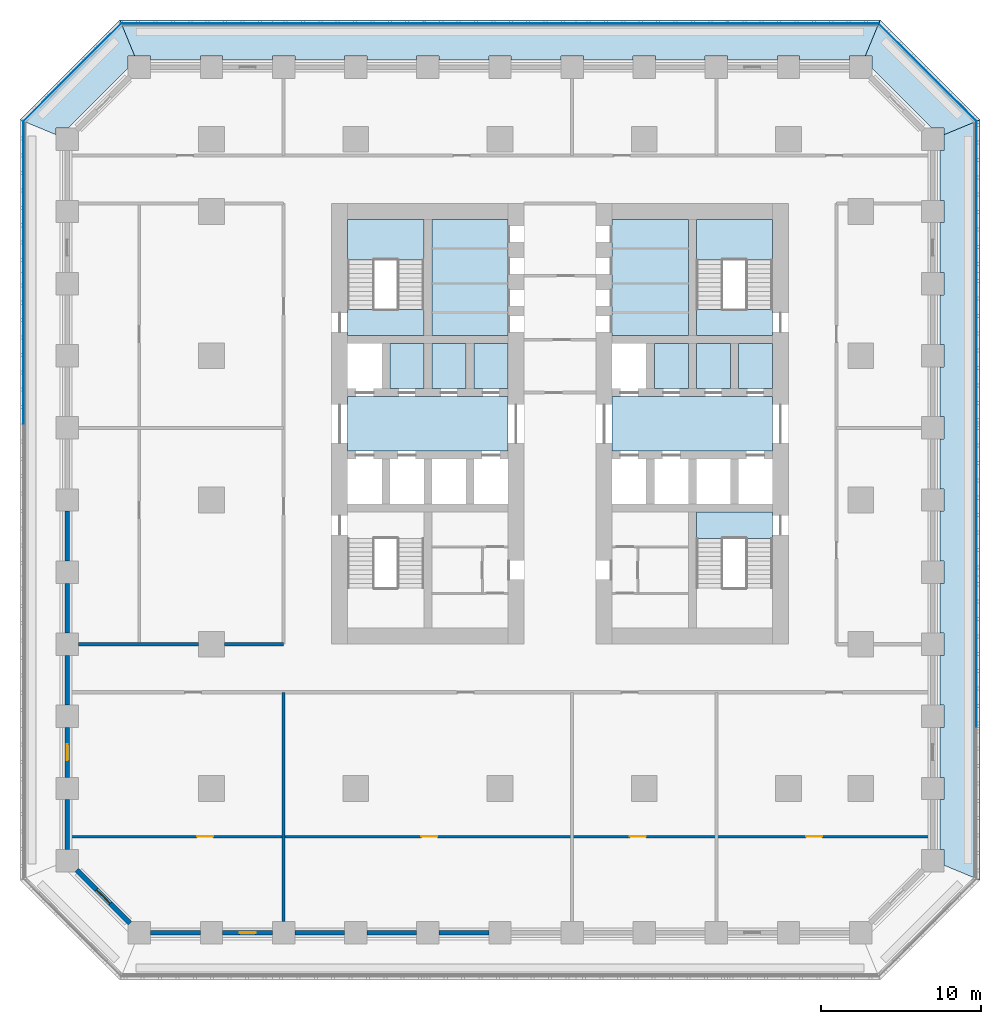
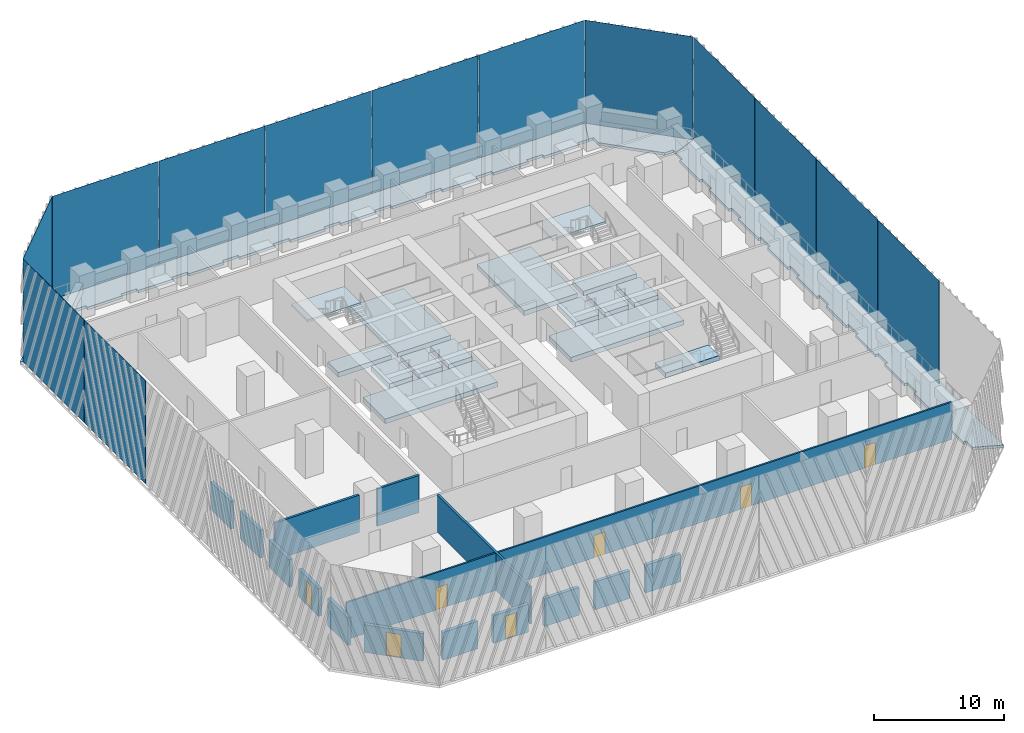
# One storey, part 2 of 12: 19 slabs, 15 walls, 13 plates, 7 doors, 7 openings, 2 elements without a shape of their own.
"""IFC4 building model written with IfcOpenShell, lengths in metres."""

from ifc_helpers import new_model, si_unit, direction, frame, frame_2d, origin, origin_2d, place, context, subcontext, project, spatial, polyline, rectangle, outline, extrude, material, layer, layer_set, type_object, element, fill, aggregate, save


model = new_model("IFC4")

# Units and contexts
model_context = context("Model", 3, precision=1e-05, world=origin(), true_north=direction((0.0, 1.0)))
body_context = subcontext(model_context, "Body", "Model", "MODEL_VIEW")
ifc_project = project(units=[si_unit("LENGTHUNIT", "METRE"), si_unit("AREAUNIT", "SQUARE_METRE"), si_unit("VOLUMEUNIT", "CUBIC_METRE"), si_unit("PLANEANGLEUNIT", "RADIAN"), si_unit("MASSUNIT", "GRAM", prefix="KILO")], contexts=[model_context])

# Site, building, storey
site_placement = place(None, origin())
site = spatial("IfcSite", under=ifc_project, at=site_placement, CompositionType="ELEMENT")
building_placement = place(site_placement, origin())
building = spatial("IfcBuilding", under=site, at=building_placement, Name="Corbel Stack Research Tower", CompositionType="ELEMENT")
storey_placement = place(building_placement, frame((0.0, 0.0, 31.800048828125)))
storey = spatial("IfcBuildingStorey", under=building, at=storey_placement, Name="L07", CompositionType="ELEMENT", Elevation=31.800048828125)

# Plates
ifc_material_1 = material(Name="Fritted glass", Category="glass")
ifc_layer_1 = layer(ifc_material_1, 0.02490234375)
ifc_layer_set_1 = layer_set([ifc_layer_1], Name="Fritted glass")
plate_type = type_object("IfcPlateType", Name="Fritted glass panel 25", PredefinedType="SHEET", material=ifc_layer_set_1)
for number, where, z_axis, x_axis, name in (
    (1, (29.737548828125, -9.45556640625, 0.0), (0.0, 0.0, 1.0), (0.0, 1.0, 0.0), "Fritted glass L07 E2"),
    (2, (29.737548828125, 0.0, 0.0), (0.0, 0.0, 1.0), (0.0, 1.0, 0.0), "Fritted glass L07 E3"),
    (3, (29.737548828125, 9.45556640625, 0.0), (0.0, 0.0, 1.0), (0.0, 1.0, 0.0), "Fritted glass L07 E4"),
    (4, (29.737548828125, 18.911376953125, 0.0), (0.0, 0.0, 1.0), (0.0, 1.0, 0.0), "Fritted glass L07 E5"),
):
    element("IfcPlate", number, at=place(storey_placement, frame(where, z_axis=z_axis, x_axis=x_axis)), inside=storey, type_object=plate_type, Name=name, PredefinedType="SHEET", context=body_context, shape_type="SweptSolid", body=[
        extrude(rectangle(XDim=9.3955078125, YDim=0.02490234375, at=origin_2d()), origin(), (0.0, 0.0, 1.0), 9.64990234375),
    ])
plate_1_placement = place(storey_placement, frame((26.685791015625, 26.685791015625, 0.0), z_axis=(0.0, 0.0, 1.0), x_axis=(-0.707106781187, 0.707106781187, 0.0)))
element("IfcPlate", 5, at=plate_1_placement, inside=storey, type_object=plate_type, Name="Fritted glass L07 NE1", PredefinedType="SHEET", context=body_context, shape_type="SweptSolid", body=[
    extrude(rectangle(XDim=8.58203125, YDim=0.02490234375, at=origin_2d()), origin(), (0.0, 0.0, 1.0), 9.64990234375),
])
for number, where, z_axis, x_axis, name in (
    (6, (18.911376953125, 29.737548828125, 0.0), (0.0, 0.0, 1.0), (-1.0, 0.0, 0.0), "Fritted glass L07 N1"),
    (7, (9.45556640625, 29.737548828125, 0.0), (0.0, 0.0, 1.0), (-1.0, 0.0, 0.0), "Fritted glass L07 N2"),
    (8, (0.0, 29.737548828125, 0.0), (0.0, 0.0, 1.0), (-1.0, 0.0, 0.0), "Fritted glass L07 N3"),
    (9, (-9.45556640625, 29.737548828125, 0.0), (0.0, 0.0, 1.0), (-1.0, 0.0, 0.0), "Fritted glass L07 N4"),
    (10, (-18.911376953125, 29.737548828125, 0.0), (0.0, 0.0, 1.0), (-1.0, 0.0, 0.0), "Fritted glass L07 N5"),
):
    element("IfcPlate", number, at=place(storey_placement, frame(where, z_axis=z_axis, x_axis=x_axis)), inside=storey, type_object=plate_type, Name=name, PredefinedType="SHEET", context=body_context, shape_type="SweptSolid", body=[
        extrude(rectangle(XDim=9.3955078125, YDim=0.02490234375, at=origin_2d()), origin(), (0.0, 0.0, 1.0), 9.64990234375),
    ])
plate_2_placement = place(storey_placement, frame((-26.685791015625, 26.685791015625, 0.0), z_axis=(0.0, 0.0, 1.0), x_axis=(-0.707106781187, -0.707106781187, 0.0)))
element("IfcPlate", 11, at=plate_2_placement, inside=storey, type_object=plate_type, Name="Fritted glass L07 NW1", PredefinedType="SHEET", context=body_context, shape_type="SweptSolid", body=[
    extrude(rectangle(XDim=8.58203125, YDim=0.02490234375, at=origin_2d()), origin(), (0.0, 0.0, 1.0), 9.64990234375),
])
for number, where, z_axis, x_axis, name in (
    (12, (-29.737548828125, 18.911376953125, 0.0), (0.0, 0.0, 1.0), (0.0, -1.0, 0.0), "Fritted glass L07 W1"),
    (13, (-29.737548828125, 9.45556640625, 0.0), (0.0, 0.0, 1.0), (0.0, -1.0, 0.0), "Fritted glass L07 W2"),
):
    element("IfcPlate", number, at=place(storey_placement, frame(where, z_axis=z_axis, x_axis=x_axis)), inside=storey, type_object=plate_type, Name=name, PredefinedType="SHEET", context=body_context, shape_type="SweptSolid", body=[
        extrude(rectangle(XDim=9.3955078125, YDim=0.02490234375, at=origin_2d()), origin(), (0.0, 0.0, 1.0), 9.64990234375),
    ])

# Slabs
ifc_material_2 = material(Name="Concrete C45/55", Category="concrete")
ifc_layer_2 = layer(ifc_material_2, 0.25)
ifc_layer_set_2 = layer_set([ifc_layer_2], Name="Concrete C45/55")
slab_type_1 = type_object("IfcSlabType", Name="PT balcony slab 250 C45/55", PredefinedType="FLOOR", material=ifc_layer_set_2)
slab_1_placement = place(storey_placement, frame((0.0, 0.0, -0.25)))
element("IfcSlab", 14, at=slab_1_placement, inside=storey, type_object=slab_type_1, Name="Loggia slab L07 E", PredefinedType="FLOOR", context=body_context, shape_type="SweptSolid", body=[
    extrude(outline(polyline([(27.699951171875, 22.789794921875), (27.699951171875, 21.800048828125), (27.449951171875, 21.800048828125), (27.449951171875, 18.699951171875), (27.699951171875, 18.699951171875), (27.699951171875, 17.300048828125), (27.449951171875, 17.300048828125), (27.449951171875, 14.199951171875), (27.699951171875, 14.199951171875), (27.699951171875, 12.800048828125), (27.449951171875, 12.800048828125), (27.449951171875, 9.699951171875), (27.699951171875, 9.699951171875), (27.699951171875, 8.300048828125), (27.449951171875, 8.300048828125), (27.449951171875, 5.199951171875), (27.699951171875, 5.199951171875), (27.699951171875, 3.800048828125), (27.449951171875, 3.800048828125), (27.449951171875, 0.699951171875), (27.699951171875, 0.699951171875), (27.699951171875, -0.699951171875), (27.449951171875, -0.699951171875), (27.449951171875, -3.800048828125), (27.699951171875, -3.800048828125), (27.699951171875, -5.199951171875), (27.449951171875, -5.199951171875), (27.449951171875, -8.300048828125), (27.699951171875, -8.300048828125), (27.699951171875, -9.699951171875), (27.449951171875, -9.699951171875), (27.449951171875, -12.800048828125), (27.699951171875, -12.800048828125), (27.699951171875, -14.199951171875), (27.449951171875, -14.199951171875), (27.449951171875, -17.300048828125), (27.699951171875, -17.300048828125), (27.699951171875, -18.699951171875), (27.449951171875, -18.699951171875), (27.449951171875, -21.800048828125), (27.699951171875, -21.800048828125), (27.699951171875, -22.789794921875), (29.949951171875, -23.721923828125), (29.949951171875, 23.721923828125), (27.699951171875, 22.789794921875)])), origin(), (0.0, 0.0, 1.0), 0.25),
])
slab_2_placement = place(storey_placement, frame((0.0, 0.0, -0.25)))
element("IfcSlab", 15, at=slab_2_placement, inside=storey, type_object=slab_type_1, Name="Loggia slab L07 NE", PredefinedType="FLOOR", context=body_context, shape_type="SweptSolid", body=[
    extrude(outline(polyline([(22.789794921875, 27.699951171875), (23.199951171875, 27.699951171875), (23.199951171875, 26.936279296875), (26.936279296875, 23.199951171875), (27.699951171875, 23.199951171875), (27.699951171875, 22.789794921875), (29.949951171875, 23.721923828125), (23.721923828125, 29.949951171875), (22.789794921875, 27.699951171875)])), origin(), (0.0, 0.0, 1.0), 0.25),
])
slab_3_placement = place(storey_placement, frame((0.0, 0.0, -0.25)))
element("IfcSlab", 16, at=slab_3_placement, inside=storey, type_object=slab_type_1, Name="Loggia slab L07 N", PredefinedType="FLOOR", context=body_context, shape_type="SweptSolid", body=[
    extrude(outline(polyline([(-22.789794921875, 27.699951171875), (-21.800048828125, 27.699951171875), (-21.800048828125, 27.449951171875), (-18.699951171875, 27.449951171875), (-18.699951171875, 27.699951171875), (-17.300048828125, 27.699951171875), (-17.300048828125, 27.449951171875), (-14.199951171875, 27.449951171875), (-14.199951171875, 27.699951171875), (-12.800048828125, 27.699951171875), (-12.800048828125, 27.449951171875), (-9.699951171875, 27.449951171875), (-9.699951171875, 27.699951171875), (-8.300048828125, 27.699951171875), (-8.300048828125, 27.449951171875), (-5.199951171875, 27.449951171875), (-5.199951171875, 27.699951171875), (-3.800048828125, 27.699951171875), (-3.800048828125, 27.449951171875), (-0.699951171875, 27.449951171875), (-0.699951171875, 27.699951171875), (0.699951171875, 27.699951171875), (0.699951171875, 27.449951171875), (3.800048828125, 27.449951171875), (3.800048828125, 27.699951171875), (5.199951171875, 27.699951171875), (5.199951171875, 27.449951171875), (8.300048828125, 27.449951171875), (8.300048828125, 27.699951171875), (9.699951171875, 27.699951171875), (9.699951171875, 27.449951171875), (12.800048828125, 27.449951171875), (12.800048828125, 27.699951171875), (14.199951171875, 27.699951171875), (14.199951171875, 27.449951171875), (17.300048828125, 27.449951171875), (17.300048828125, 27.699951171875), (18.699951171875, 27.699951171875), (18.699951171875, 27.449951171875), (21.800048828125, 27.449951171875), (21.800048828125, 27.699951171875), (22.789794921875, 27.699951171875), (23.721923828125, 29.949951171875), (-23.721923828125, 29.949951171875), (-22.789794921875, 27.699951171875)])), origin(), (0.0, 0.0, 1.0), 0.25),
])
slab_4_placement = place(storey_placement, frame((0.0, 0.0, -0.25)))
element("IfcSlab", 17, at=slab_4_placement, inside=storey, type_object=slab_type_1, Name="Loggia slab L07 NW", PredefinedType="FLOOR", context=body_context, shape_type="SweptSolid", body=[
    extrude(outline(polyline([(-27.699951171875, 22.789794921875), (-27.699951171875, 23.199951171875), (-26.936279296875, 23.199951171875), (-23.199951171875, 26.936279296875), (-23.199951171875, 27.699951171875), (-22.789794921875, 27.699951171875), (-23.721923828125, 29.949951171875), (-29.949951171875, 23.721923828125), (-27.699951171875, 22.789794921875)])), origin(), (0.0, 0.0, 1.0), 0.25),
])
ifc_material_3 = material(Name="Concrete C45/55", Category="concrete")
ifc_layer_3 = layer(ifc_material_3, 0.449951171875)
ifc_layer_set_3 = layer_set([ifc_layer_3], Name="Concrete C45/55")
slab_type_2 = type_object("IfcSlabType", Name="PT-450", PredefinedType="FLOOR", material=ifc_layer_set_3)
slab_5_placement = place(storey_placement, frame((0.0, 0.0, -0.449951171875)))
element("IfcSlab", 18, at=slab_5_placement, inside=storey, type_object=slab_type_2, Name="West core floor L07", PredefinedType="FLOOR", context=body_context, shape_type="SweptSolid", body=[
    extrude(outline(polyline([(-9.5, 6.449951171875), (-9.5, 3.050048828125), (0.5, 3.050048828125), (0.5, 6.449951171875), (-9.5, 6.449951171875)])), origin(), (0.0, 0.0, 1.0), 0.449951171875),
])
slab_6_placement = place(storey_placement, frame((0.0, 0.0, -0.449951171875)))
element("IfcSlab", 19, at=slab_6_placement, inside=storey, type_object=slab_type_2, Name="West core floor L07", PredefinedType="FLOOR", context=body_context, shape_type="SweptSolid", body=[
    extrude(outline(polyline([(-6.875, 6.949951171875), (-4.75, 6.949951171875), (-4.75, 9.75), (-6.875, 9.75), (-6.875, 6.949951171875)])), origin(), (0.0, 0.0, 1.0), 0.449951171875),
])
slab_7_placement = place(storey_placement, frame((0.0, 0.0, -0.449951171875)))
element("IfcSlab", 20, at=slab_7_placement, inside=storey, type_object=slab_type_2, Name="West core floor L07", PredefinedType="FLOOR", context=body_context, shape_type="SweptSolid", body=[
    extrude(outline(polyline([(-2.125, 6.949951171875), (-2.125, 9.75), (-4.25, 9.75), (-4.25, 6.949951171875), (-2.125, 6.949951171875)])), origin(), (0.0, 0.0, 1.0), 0.449951171875),
])
slab_8_placement = place(storey_placement, frame((0.0, 0.0, -0.449951171875)))
element("IfcSlab", 21, at=slab_8_placement, inside=storey, type_object=slab_type_2, Name="West core floor L07", PredefinedType="FLOOR", context=body_context, shape_type="SweptSolid", body=[
    extrude(outline(polyline([(-4.25, 17.5), (-4.25, 10.25), (0.5, 10.25), (0.5, 17.5), (-4.25, 17.5)])), origin(), (0.0, 0.0, 1.0), 0.449951171875),
])
slab_9_placement = place(storey_placement, frame((0.0, 0.0, -0.449951171875)))
element("IfcSlab", 22, at=slab_9_placement, inside=storey, type_object=slab_type_2, Name="West core floor L07", PredefinedType="FLOOR", context=body_context, shape_type="SweptSolid", body=[
    extrude(outline(polyline([(0.5, 6.949951171875), (0.5, 9.75), (-1.625, 9.75), (-1.625, 6.949951171875), (0.5, 6.949951171875)])), origin(), (0.0, 0.0, 1.0), 0.449951171875),
])
slab_10_placement = place(storey_placement, frame((0.0, 0.0, -0.449951171875)))
element("IfcSlab", 23, at=slab_10_placement, inside=storey, type_object=slab_type_2, Name="East core floor L07", PredefinedType="FLOOR", context=body_context, shape_type="SweptSolid", body=[
    extrude(outline(polyline([(7.0, 6.449951171875), (7.0, 3.050048828125), (17.0, 3.050048828125), (17.0, 6.449951171875), (7.0, 6.449951171875)])), origin(), (0.0, 0.0, 1.0), 0.449951171875),
])
slab_11_placement = place(storey_placement, frame((0.0, 0.0, -0.449951171875)))
element("IfcSlab", 24, at=slab_11_placement, inside=storey, type_object=slab_type_2, Name="East core floor L07", PredefinedType="FLOOR", context=body_context, shape_type="SweptSolid", body=[
    extrude(outline(polyline([(7.0, 17.5), (7.0, 10.25), (11.75, 10.25), (11.75, 17.5), (7.0, 17.5)])), origin(), (0.0, 0.0, 1.0), 0.449951171875),
])
slab_12_placement = place(storey_placement, frame((0.0, 0.0, -0.449951171875)))
element("IfcSlab", 25, at=slab_12_placement, inside=storey, type_object=slab_type_2, Name="East core floor L07", PredefinedType="FLOOR", context=body_context, shape_type="SweptSolid", body=[
    extrude(outline(polyline([(9.625, 6.949951171875), (11.75, 6.949951171875), (11.75, 9.75), (9.625, 9.75), (9.625, 6.949951171875)])), origin(), (0.0, 0.0, 1.0), 0.449951171875),
])
slab_13_placement = place(storey_placement, frame((0.0, 0.0, -0.449951171875)))
element("IfcSlab", 26, at=slab_13_placement, inside=storey, type_object=slab_type_2, Name="East core floor L07", PredefinedType="FLOOR", context=body_context, shape_type="SweptSolid", body=[
    extrude(outline(polyline([(14.375, 6.949951171875), (14.375, 9.75), (12.25, 9.75), (12.25, 6.949951171875), (14.375, 6.949951171875)])), origin(), (0.0, 0.0, 1.0), 0.449951171875),
])
slab_14_placement = place(storey_placement, frame((0.0, 0.0, -0.449951171875)))
element("IfcSlab", 27, at=slab_14_placement, inside=storey, type_object=slab_type_2, Name="East core floor L07", PredefinedType="FLOOR", context=body_context, shape_type="SweptSolid", body=[
    extrude(outline(polyline([(17.0, 6.949951171875), (17.0, 9.75), (14.875, 9.75), (14.875, 6.949951171875), (17.0, 6.949951171875)])), origin(), (0.0, 0.0, 1.0), 0.449951171875),
])
slab_15_placement = place(storey_placement, frame((0.0, 0.0, -0.449951171875)))
element("IfcSlab", 28, at=slab_15_placement, inside=storey, type_object=slab_type_2, Name="Stair floor landing ST-W2", PredefinedType="FLOOR", context=body_context, shape_type="SweptSolid", body=[
    extrude(outline(polyline([(-9.5, 10.25), (-4.75, 10.25), (-4.75, 11.89990234375), (-9.5, 11.89990234375), (-9.5, 10.25)])), origin(), (0.0, 0.0, 1.0), 0.449951171875),
])
slab_16_placement = place(storey_placement, frame((0.0, 0.0, -0.449951171875)))
element("IfcSlab", 29, at=slab_16_placement, inside=storey, type_object=slab_type_2, Name="Stair floor landing ST-E1", PredefinedType="FLOOR", context=body_context, shape_type="SweptSolid", body=[
    extrude(outline(polyline([(12.25, -2.39990234375), (17.0, -2.39990234375), (17.0, -0.75), (12.25, -0.75), (12.25, -2.39990234375)])), origin(), (0.0, 0.0, 1.0), 0.449951171875),
])
slab_17_placement = place(storey_placement, frame((0.0, 0.0, -0.449951171875)))
element("IfcSlab", 30, at=slab_17_placement, inside=storey, type_object=slab_type_2, Name="Stair floor landing ST-E2", PredefinedType="FLOOR", context=body_context, shape_type="SweptSolid", body=[
    extrude(outline(polyline([(12.25, 10.25), (17.0, 10.25), (17.0, 11.89990234375), (12.25, 11.89990234375), (12.25, 10.25)])), origin(), (0.0, 0.0, 1.0), 0.449951171875),
])

# Stair, slab
ifc_material_4 = material(Name="Concrete C40/50", Category="concrete")
stair_type = type_object("IfcStairType", Name="Exit stair 24 risers", PredefinedType="HALF_TURN_STAIR", material=ifc_material_4)
stair_1_placement = place(storey_placement, origin())
stair_1 = element("IfcStair", 31, at=stair_1_placement, inside=storey, type_object=stair_type, Name="L07 Exit stair ST-W2", PredefinedType="HALF_TURN_STAIR")
ifc_material_5 = material(Name="Concrete C40/50", Category="concrete")
ifc_layer_4 = layer(ifc_material_5, 0.199951171875)
ifc_layer_set_4 = layer_set([ifc_layer_4], Name="Concrete C40/50")
slab_type_3 = type_object("IfcSlabType", Name="Stair landing 200 C40/50", PredefinedType="LANDING", material=ifc_layer_set_4)
slab_18_placement = place(storey_placement, frame((0.0, 0.0, 1.849853515625)))
slab_18 = element("IfcSlab", 32, at=slab_18_placement, type_object=slab_type_3, Name="ST-W2 landing 1", PredefinedType="LANDING", context=body_context, shape_type="SweptSolid", body=[
    extrude(outline(polyline([(-9.5, 14.97998046875), (-9.5, 17.5), (-4.75, 17.5), (-4.75, 14.97998046875), (-9.5, 14.97998046875)])), origin(), (0.0, 0.0, 1.0), 0.2001953125),
])
aggregate(stair_1, [slab_18])

stair_2_placement = place(storey_placement, origin())
stair_2 = element("IfcStair", 33, at=stair_2_placement, inside=storey, type_object=stair_type, Name="L07 Exit stair ST-E2", PredefinedType="HALF_TURN_STAIR")
slab_19_placement = place(storey_placement, frame((0.0, 0.0, 1.849853515625)))
slab_19 = element("IfcSlab", 34, at=slab_19_placement, type_object=slab_type_3, Name="ST-E2 landing 1", PredefinedType="LANDING", context=body_context, shape_type="SweptSolid", body=[
    extrude(outline(polyline([(12.25, 14.97998046875), (12.25, 17.5), (17.0, 17.5), (17.0, 14.97998046875), (12.25, 14.97998046875)])), origin(), (0.0, 0.0, 1.0), 0.2001953125),
])
aggregate(stair_2, [slab_19])

# Walls
ifc_material_6 = material(Name="Fire-rated gypsum board partition on steel studs", Category="steel")
ifc_layer_5 = layer(ifc_material_6, 0.199951171875)
ifc_layer_set_5 = layer_set([ifc_layer_5], Name="Fire-rated gypsum board partition on steel studs")
wall_type_1 = type_object("IfcWallType", Name="Fire-rated partition 200 EI 60", PredefinedType="PARTITIONING", material=ifc_layer_set_5)
wall_1_placement = place(storey_placement, frame((-13.5, -26.300048828125, 0.0), z_axis=(0.0, 0.0, 1.0), x_axis=(0.0, 1.0, 0.0)))
element("IfcWall", 35, at=wall_1_placement, inside=storey, type_object=wall_type_1, Name="Partition L07-002", PredefinedType="PARTITIONING", context=body_context, shape_type="SweptSolid", body=[
    extrude(rectangle(XDim=14.300048828125, YDim=0.199951171875, at=frame_2d((7.14990234375, 0.0))), origin(), (0.0, 0.0, 1.0), 3.5),
])
wall_2_placement = place(storey_placement, frame((-26.300048828125, -9.0, 0.0), z_axis=(0.0, 0.0, 1.0), x_axis=(1.0, 0.0, 0.0)))
element("IfcWall", 36, at=wall_2_placement, inside=storey, type_object=wall_type_1, Name="Partition L07-012", PredefinedType="PARTITIONING", context=body_context, shape_type="SweptSolid", body=[
    extrude(rectangle(XDim=7.5, YDim=0.199951171875, at=frame_2d((3.75, 0.0))), origin(), (0.0, 0.0, 1.0), 3.5),
])
wall_3_placement = place(storey_placement, frame((-17.199951171875, -9.0, 0.0), z_axis=(0.0, 0.0, 1.0), x_axis=(1.0, 0.0, 0.0)))
element("IfcWall", 37, at=wall_3_placement, inside=storey, type_object=wall_type_1, Name="Partition L07-013", PredefinedType="PARTITIONING", context=body_context, shape_type="SweptSolid", body=[
    extrude(rectangle(XDim=3.699951171875, YDim=0.199951171875, at=frame_2d((1.85009765625, 0.0))), origin(), (0.0, 0.0, 1.0), 3.5),
])

# Wall, openings, doors
ifc_material_7 = material(Name="Gypsum board partition on steel studs", Category="steel")
ifc_layer_6 = layer(ifc_material_7, 0.14990234375)
ifc_layer_set_6 = layer_set([ifc_layer_6], Name="Gypsum board partition on steel studs")
wall_type_2 = type_object("IfcWallType", Name="Partition 150", PredefinedType="PARTITIONING", material=ifc_layer_set_6)
wall_4_placement = place(storey_placement, frame((26.85009765625, -21.0, 0.0), z_axis=(0.0, 0.0, 1.0), x_axis=(-1.0, 0.0, 0.0)))
wall_4 = element("IfcWall", 38, at=wall_4_placement, inside=storey, type_object=wall_type_2, Name="Partition L07-010", PredefinedType="PARTITIONING", context=body_context, shape_type="SweptSolid", body=[
    extrude(rectangle(XDim=53.7001953125, YDim=0.14990234375, at=frame_2d((26.85009765625, 0.0))), origin(), (0.0, 0.0, 1.0), 3.5),
])
opening_1_placement = place(wall_4_placement, frame((44.75, 0.0, 0.0)))
opening_1 = element("IfcOpeningElement", 39, at=opening_1_placement, cuts=wall_4, Name="Opening B1V2-003", PredefinedType="OPENING", context=body_context, shape_type="SweptSolid", body=[
    extrude(rectangle(XDim=1.0, YDim=2.10009765625, at=frame_2d((0.5, 1.050048828125))), frame((0.0, 0.0849609375, 0.0), z_axis=(0.0, -1.0, 0.0), x_axis=(1.0, 0.0, 0.0)), (0.0, 0.0, 1.0), 0.169921875),
])
opening_2_placement = place(wall_4_placement, frame((30.75, 0.0, 0.0)))
opening_2 = element("IfcOpeningElement", 40, at=opening_2_placement, cuts=wall_4, Name="Opening B1V2-004", PredefinedType="OPENING", context=body_context, shape_type="SweptSolid", body=[
    extrude(rectangle(XDim=1.0, YDim=2.10009765625, at=frame_2d((0.5, 1.050048828125))), frame((0.0, 0.0849609375, 0.0), z_axis=(0.0, -1.0, 0.0), x_axis=(1.0, 0.0, 0.0)), (0.0, 0.0, 1.0), 0.169921875),
])
opening_3_placement = place(wall_4_placement, frame((17.75, 0.0, 0.0)))
opening_3 = element("IfcOpeningElement", 41, at=opening_3_placement, cuts=wall_4, Name="Opening B1V2-005", PredefinedType="OPENING", context=body_context, shape_type="SweptSolid", body=[
    extrude(rectangle(XDim=1.0, YDim=2.10009765625, at=frame_2d((0.5, 1.050048828125))), frame((0.0, 0.0849609375, 0.0), z_axis=(0.0, -1.0, 0.0), x_axis=(1.0, 0.0, 0.0)), (0.0, 0.0, 1.0), 0.169921875),
])
opening_4_placement = place(wall_4_placement, frame((6.75, 0.0, 0.0)))
opening_4 = element("IfcOpeningElement", 42, at=opening_4_placement, cuts=wall_4, Name="Opening B1V2-006", PredefinedType="OPENING", context=body_context, shape_type="SweptSolid", body=[
    extrude(rectangle(XDim=1.0, YDim=2.10009765625, at=frame_2d((0.5, 1.050048828125))), frame((0.0, 0.0849609375, 0.0), z_axis=(0.0, -1.0, 0.0), x_axis=(1.0, 0.0, 0.0)), (0.0, 0.0, 1.0), 0.169921875),
])
ifc_material_8 = material(Name="Painted timber door", Category="wood")
door_type_1 = type_object("IfcDoorType", Name="Single door 1000 x 2100", OperationType="NOTDEFINED", PredefinedType="DOOR", material=ifc_material_8)
door_1_placement = place(opening_1_placement, origin())
door_1 = element("IfcDoor", 43, at=door_1_placement, inside=storey, type_object=door_type_1, Name="Door B1V2-003", OperationType="SINGLE_SWING_RIGHT", OverallHeight=2.10009765625, OverallWidth=1.0, PredefinedType="DOOR", context=body_context, shape_type="SweptSolid", body=[
    extrude(rectangle(XDim=1.0, YDim=2.10009765625, at=frame_2d((0.5, 1.050048828125))), frame((0.0, 0.02490234375, 0.0), z_axis=(0.0, -1.0, 0.0), x_axis=(1.0, 0.0, 0.0)), (0.0, 0.0, 1.0), 0.050048828125),
])
fill(opening_1, door_1)
door_2_placement = place(opening_2_placement, origin())
door_2 = element("IfcDoor", 44, at=door_2_placement, inside=storey, type_object=door_type_1, Name="Door B1V2-004", OperationType="SINGLE_SWING_RIGHT", OverallHeight=2.10009765625, OverallWidth=1.0, PredefinedType="DOOR", context=body_context, shape_type="SweptSolid", body=[
    extrude(rectangle(XDim=1.0, YDim=2.10009765625, at=frame_2d((0.5, 1.050048828125))), frame((0.0, 0.02490234375, 0.0), z_axis=(0.0, -1.0, 0.0), x_axis=(1.0, 0.0, 0.0)), (0.0, 0.0, 1.0), 0.050048828125),
])
fill(opening_2, door_2)
door_3_placement = place(opening_3_placement, origin())
door_3 = element("IfcDoor", 45, at=door_3_placement, inside=storey, type_object=door_type_1, Name="Door B1V2-005", OperationType="SINGLE_SWING_LEFT", OverallHeight=2.10009765625, OverallWidth=1.0, PredefinedType="DOOR", context=body_context, shape_type="SweptSolid", body=[
    extrude(rectangle(XDim=1.0, YDim=2.10009765625, at=frame_2d((0.5, 1.050048828125))), frame((0.0, 0.02490234375, 0.0), z_axis=(0.0, -1.0, 0.0), x_axis=(1.0, 0.0, 0.0)), (0.0, 0.0, 1.0), 0.050048828125),
])
fill(opening_3, door_3)
door_4_placement = place(opening_4_placement, origin())
door_4 = element("IfcDoor", 46, at=door_4_placement, inside=storey, type_object=door_type_1, Name="Door B1V2-006", OperationType="SINGLE_SWING_LEFT", OverallHeight=2.10009765625, OverallWidth=1.0, PredefinedType="DOOR", context=body_context, shape_type="SweptSolid", body=[
    extrude(rectangle(XDim=1.0, YDim=2.10009765625, at=frame_2d((0.5, 1.050048828125))), frame((0.0, 0.02490234375, 0.0), z_axis=(0.0, -1.0, 0.0), x_axis=(1.0, 0.0, 0.0)), (0.0, 0.0, 1.0), 0.050048828125),
])
fill(opening_4, door_4)

# Wall
ifc_material_9 = material(Name="Concrete C45/55", Category="concrete")
ifc_layer_7 = layer(ifc_material_9, 0.300048828125)
ifc_layer_set_7 = layer_set([ifc_layer_7], Name="Concrete C45/55")
wall_type_3 = type_object("IfcWallType", Name="Terracotta-faced concrete wall 300", PredefinedType="SOLIDWALL", material=ifc_layer_set_7)
wall_5_placement = place(storey_placement, frame((-18.699951171875, -27.0, 0.0), z_axis=(0.0, 0.0, 1.0), x_axis=(-1.0, 0.0, 0.0)))
element("IfcWall", 47, at=wall_5_placement, inside=storey, type_object=wall_type_3, Name="Facade wall L07 S01", PredefinedType="SOLIDWALL", context=body_context, shape_type="SweptSolid", body=[
    extrude(rectangle(XDim=3.10009765625, YDim=0.300048828125, at=frame_2d((1.550048828125, 0.0))), origin(), (0.0, 0.0, 1.0), 2.599853515625),
])

# Wall, opening, door
wall_6_placement = place(storey_placement, frame((-14.199951171875, -27.0, 0.0), z_axis=(0.0, 0.0, 1.0), x_axis=(-1.0, 0.0, 0.0)))
wall_6 = element("IfcWall", 48, at=wall_6_placement, inside=storey, type_object=wall_type_3, Name="Facade wall L07 S02", PredefinedType="SOLIDWALL", context=body_context, shape_type="SweptSolid", body=[
    extrude(rectangle(XDim=3.10009765625, YDim=0.300048828125, at=frame_2d((1.550048828125, 0.0))), origin(), (0.0, 0.0, 1.0), 2.599853515625),
])
opening_5_placement = place(wall_6_placement, frame((1.050048828125, 0.0, 0.0)))
opening_5 = element("IfcOpeningElement", 49, at=opening_5_placement, cuts=wall_6, Name="Opening L07-B01", PredefinedType="OPENING", context=body_context, shape_type="SweptSolid", body=[
    extrude(rectangle(XDim=1.0, YDim=2.199951171875, at=frame_2d((0.5, 1.10009765625))), frame((0.0, 0.159912109375, 0.0), z_axis=(0.0, -1.0, 0.0), x_axis=(1.0, 0.0, 0.0)), (0.0, 0.0, 1.0), 0.320068359375),
])
ifc_material_10 = material(Name="Aluminium frame, clear double glazing", Category="aluminium")
door_type_2 = type_object("IfcDoorType", Name="Balcony door BD1 1000 x 2200", OperationType="NOTDEFINED", PredefinedType="DOOR", material=ifc_material_10)
door_5_placement = place(opening_5_placement, origin())
door_5 = element("IfcDoor", 50, at=door_5_placement, inside=storey, type_object=door_type_2, Name="Balcony door L07-B01", OperationType="SINGLE_SWING_LEFT", OverallHeight=2.199951171875, OverallWidth=1.0, PredefinedType="DOOR", context=body_context, shape_type="SweptSolid", body=[
    extrude(rectangle(XDim=1.0, YDim=2.199951171875, at=frame_2d((0.5, 1.10009765625))), frame((0.0, 0.02490234375, 0.0), z_axis=(0.0, -1.0, 0.0), x_axis=(1.0, 0.0, 0.0)), (0.0, 0.0, 1.0), 0.050048828125),
])
fill(opening_5, door_5)

# Walls
for number, where, z_axis, x_axis, name in (
    (51, (-9.699951171875, -27.0, 0.0), (0.0, 0.0, 1.0), (-1.0, 0.0, 0.0), "Facade wall L07 S03"),
    (52, (-5.199951171875, -27.0, 0.0), (0.0, 0.0, 1.0), (-1.0, 0.0, 0.0), "Facade wall L07 S04"),
    (53, (-0.699951171875, -27.0, 0.0), (0.0, 0.0, 1.0), (-1.0, 0.0, 0.0), "Facade wall L07 S05"),
    (54, (-27.0, -3.800048828125, 0.0), (0.0, 0.0, 1.0), (0.0, 1.0, 0.0), "Facade wall L07 W06"),
    (55, (-27.0, -8.300048828125, 0.0), (0.0, 0.0, 1.0), (0.0, 1.0, 0.0), "Facade wall L07 W07"),
    (56, (-27.0, -12.800048828125, 0.0), (0.0, 0.0, 1.0), (0.0, 1.0, 0.0), "Facade wall L07 W08"),
):
    element("IfcWall", number, at=place(storey_placement, frame(where, z_axis=z_axis, x_axis=x_axis)), inside=storey, type_object=wall_type_3, Name=name, PredefinedType="SOLIDWALL", context=body_context, shape_type="SweptSolid", body=[
        extrude(rectangle(XDim=3.10009765625, YDim=0.300048828125, at=frame_2d((1.550048828125, 0.0))), origin(), (0.0, 0.0, 1.0), 2.599853515625),
    ])

# Wall, opening, door
wall_7_placement = place(storey_placement, frame((-27.0, -17.300048828125, 0.0), z_axis=(0.0, 0.0, 1.0), x_axis=(0.0, 1.0, 0.0)))
wall_7 = element("IfcWall", 57, at=wall_7_placement, inside=storey, type_object=wall_type_3, Name="Facade wall L07 W09", PredefinedType="SOLIDWALL", context=body_context, shape_type="SweptSolid", body=[
    extrude(rectangle(XDim=3.10009765625, YDim=0.300048828125, at=frame_2d((1.550048828125, 0.0))), origin(), (0.0, 0.0, 1.0), 2.599853515625),
])
opening_6_placement = place(wall_7_placement, frame((1.050048828125, 0.0, 0.0)))
opening_6 = element("IfcOpeningElement", 58, at=opening_6_placement, cuts=wall_7, Name="Opening L07-B11", PredefinedType="OPENING", context=body_context, shape_type="SweptSolid", body=[
    extrude(rectangle(XDim=1.0, YDim=2.199951171875, at=frame_2d((0.5, 1.10009765625))), frame((0.0, 0.159912109375, 0.0), z_axis=(0.0, -1.0, 0.0), x_axis=(1.0, 0.0, 0.0)), (0.0, 0.0, 1.0), 0.320068359375),
])
door_6_placement = place(opening_6_placement, origin())
door_6 = element("IfcDoor", 59, at=door_6_placement, inside=storey, type_object=door_type_2, Name="Balcony door L07-B11", OperationType="SINGLE_SWING_RIGHT", OverallHeight=2.199951171875, OverallWidth=1.0, PredefinedType="DOOR", context=body_context, shape_type="SweptSolid", body=[
    extrude(rectangle(XDim=1.0, YDim=2.199951171875, at=frame_2d((0.5, 1.10009765625))), frame((0.0, 0.02490234375, 0.0), z_axis=(0.0, -1.0, 0.0), x_axis=(1.0, 0.0, 0.0)), (0.0, 0.0, 1.0), 0.050048828125),
])
fill(opening_6, door_6)

# Wall
wall_8_placement = place(storey_placement, frame((-27.0, -21.800048828125, 0.0), z_axis=(0.0, 0.0, 1.0), x_axis=(0.0, 1.0, 0.0)))
element("IfcWall", 60, at=wall_8_placement, inside=storey, type_object=wall_type_3, Name="Facade wall L07 W10", PredefinedType="SOLIDWALL", context=body_context, shape_type="SweptSolid", body=[
    extrude(rectangle(XDim=3.10009765625, YDim=0.300048828125, at=frame_2d((1.550048828125, 0.0))), origin(), (0.0, 0.0, 1.0), 2.599853515625),
])

# Wall, opening, door
wall_9_placement = place(storey_placement, frame((-23.093994140625, -26.406005859375, 0.0), z_axis=(0.0, 0.0, 1.0), x_axis=(-0.707106781187, 0.707106781187, 0.0)))
wall_9 = element("IfcWall", 61, at=wall_9_placement, inside=storey, type_object=wall_type_3, Name="Facade wall L07 SW01", PredefinedType="SOLIDWALL", context=body_context, shape_type="SweptSolid", body=[
    extrude(rectangle(XDim=4.683837890625, YDim=0.300048828125, at=frame_2d((2.341796875, 0.0))), origin(), (0.0, 0.0, 1.0), 2.599853515625),
])
opening_7_placement = place(wall_9_placement, frame((1.741943359375, 0.0, 0.0)))
opening_7 = element("IfcOpeningElement", 62, at=opening_7_placement, cuts=wall_9, Name="Opening L07-B12", PredefinedType="OPENING", context=body_context, shape_type="SweptSolid", body=[
    extrude(rectangle(XDim=1.199951171875, YDim=2.199951171875, at=frame_2d((0.60009765625, 1.10009765625))), frame((0.0, 0.159912109375, 0.0), z_axis=(0.0, -1.0, 0.0), x_axis=(1.0, 0.0, 0.0)), (0.0, 0.0, 1.0), 0.320068359375),
])
ifc_material_11 = material(Name="Aluminium frame, clear double glazing", Category="aluminium")
door_type_3 = type_object("IfcDoorType", Name="Balcony door BD2 1200 x 2200", OperationType="NOTDEFINED", PredefinedType="DOOR", material=ifc_material_11)
door_7_placement = place(opening_7_placement, origin())
door_7 = element("IfcDoor", 63, at=door_7_placement, inside=storey, type_object=door_type_3, Name="Balcony door L07-B12", OperationType="SINGLE_SWING_RIGHT", OverallHeight=2.199951171875, OverallWidth=1.199951171875, PredefinedType="DOOR", context=body_context, shape_type="SweptSolid", body=[
    extrude(rectangle(XDim=1.199951171875, YDim=2.199951171875, at=frame_2d((0.60009765625, 1.10009765625))), frame((0.0, 0.02490234375, 0.0), z_axis=(0.0, -1.0, 0.0), x_axis=(1.0, 0.0, 0.0)), (0.0, 0.0, 1.0), 0.050048828125),
])
fill(opening_7, door_7)

save(model, "model.ifc")
